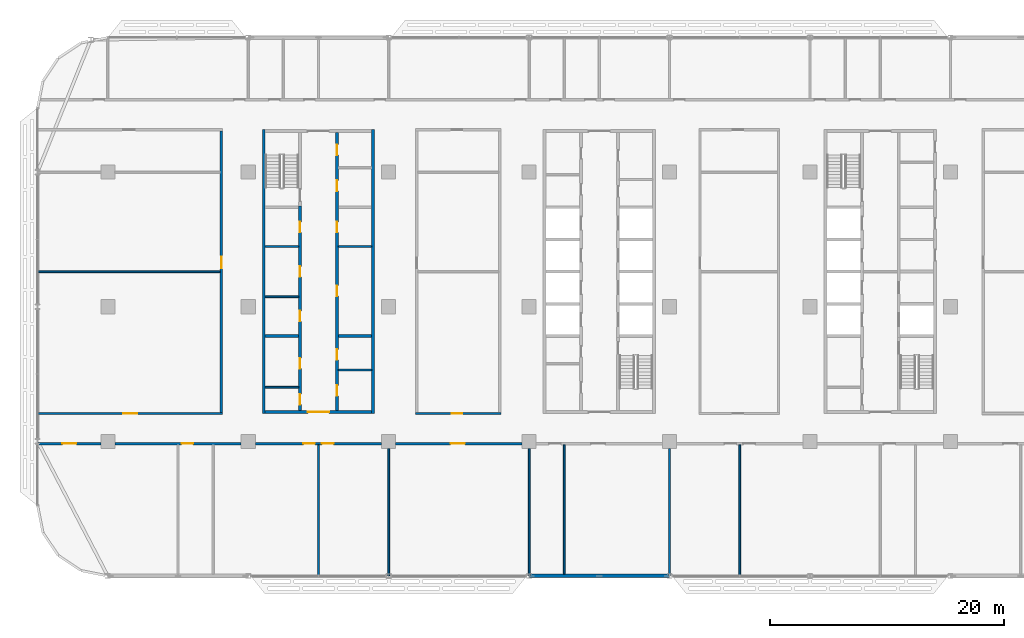
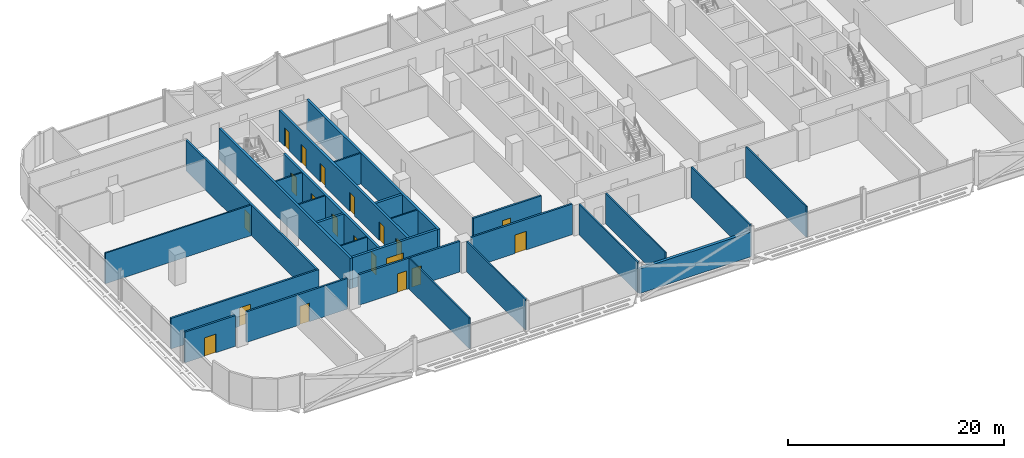
# One storey, part 11 of 27: 27 walls, 20 doors, 20 openings.
"""IFC4 building model written with IfcOpenShell, lengths in metres."""

import ifcopenshell
import ifcopenshell.guid

model = None  # the IFC model being written
_history = None  # IfcOwnerHistory: only IFC2X3 demands one
_inside = {}  # id of a spatial element -> (the spatial element, [elements in it])
_under = {}  # id of a project, library or spatial element -> (it, [spatial elements below it])
_declared = {}  # id of a project -> (the project, [libraries it declares])
_typed = {}  # id of a type object -> (the type object, [elements of that type])
_made_of = {}  # id of a material, layer set ... -> (it, [elements and type objects made of it])


def new_model(schema):
    """Start an empty IFC model of exactly this schema.

    Asked for "IFC4X3", IfcOpenShell would pick the latest addendum, in which some entities
    have other attributes; the version numbers below select the first issue.
    IFC2X3 requires an IfcOwnerHistory on every rooted entity: one is made here for all.
    """
    global model, _history
    if schema == "IFC4X3":
        model = ifcopenshell.file(schema_version=(4, 3, 0, 0))
    else:
        model = ifcopenshell.file(schema=schema)
    _inside.clear()
    _under.clear()
    _declared.clear()
    _typed.clear()
    _made_of.clear()
    _history = None
    if model.schema == "IFC2X3":
        org = make("IfcOrganization", Name="unknown")
        user = make(
            "IfcPersonAndOrganization",
            ThePerson=make("IfcPerson", FamilyName="unknown"),
            TheOrganization=org,
        )
        app = make(
            "IfcApplication",
            ApplicationDeveloper=org,
            Version="unknown",
            ApplicationFullName="unknown",
            ApplicationIdentifier="unknown",
        )
        _history = make(
            "IfcOwnerHistory",
            OwningUser=user,
            OwningApplication=app,
            ChangeAction="ADDED",
            CreationDate=0,
        )
    return model


def make(cls, **values):
    """One entity of the class cls with the attributes given. An attribute that is None is left unset."""
    return model.create_entity(
        cls, **{name: value for name, value in values.items() if value is not None}
    )


def rooted(cls, **values):
    """An entity with a GlobalId (a new one), such as an element, a storey or a relation."""
    return make(cls, GlobalId=ifcopenshell.guid.new(), OwnerHistory=_history, **values)


def si_unit(unit_type, name, prefix=None):
    """IfcSIUnit, for example si_unit("LENGTHUNIT", "METRE", prefix="MILLI")."""
    return make("IfcSIUnit", UnitType=unit_type, Prefix=prefix, Name=name)


def assignment(units):
    """IfcUnitAssignment: the units of a project."""
    return None if units is None else make("IfcUnitAssignment", Units=units)


def point(xyz):
    """IfcCartesianPoint."""
    return None if xyz is None else make("IfcCartesianPoint", Coordinates=xyz)


def direction(xyz):
    """IfcDirection."""
    return None if xyz is None else make("IfcDirection", DirectionRatios=xyz)


def frame(location, z_axis=None, x_axis=None):
    """IfcAxis2Placement3D, a coordinate frame: its origin and axes. An axis left out is left unset."""
    return make(
        "IfcAxis2Placement3D",
        Location=point(location),
        Axis=direction(z_axis),
        RefDirection=direction(x_axis),
    )


def frame_2d(location, x_axis=None):
    """IfcAxis2Placement2D, a coordinate frame in the plane: its origin and x axis."""
    return make(
        "IfcAxis2Placement2D", Location=point(location), RefDirection=direction(x_axis)
    )


def origin():
    """The frame at (0, 0, 0) with its axes left unset."""
    return frame((0.0, 0.0, 0.0))


def place(relative_to, where):
    """IfcLocalPlacement: puts the frame where relative to a parent placement (None: the world)."""
    return make(
        "IfcLocalPlacement", PlacementRelTo=relative_to, RelativePlacement=where
    )


def context(
    kind, dimensions, precision=None, world=None, true_north=None, identifier=None
):
    """IfcGeometricRepresentationContext, for example the 3D "Model" context."""
    return make(
        "IfcGeometricRepresentationContext",
        ContextIdentifier=identifier,
        ContextType=kind,
        CoordinateSpaceDimension=dimensions,
        Precision=precision,
        WorldCoordinateSystem=world,
        TrueNorth=true_north,
    )


def subcontext(parent, identifier, kind, view, scale=None):
    """IfcGeometricRepresentationSubContext, for example "Body" below "Model"."""
    return make(
        "IfcGeometricRepresentationSubContext",
        ContextIdentifier=identifier,
        ContextType=kind,
        ParentContext=parent,
        TargetScale=scale,
        TargetView=view,
    )


def project(units=None, contexts=None):
    """IfcProject with its units and contexts."""
    return rooted(
        "IfcProject",
        Name="project",
        RepresentationContexts=contexts,
        UnitsInContext=assignment(units),
    )


def spatial(cls, under=None, at=None, **own):
    """A site, building, storey or space (cls), placed at a placement, below another one or the project."""
    s = rooted(cls, ObjectPlacement=at, **own)
    if under is not None:
        _under.setdefault(under.id(), (under, []))[1].append(s)
    return s


def profile(cls, at=None, kind="AREA", **sizes):
    """A parametric profile (cls). Its sizes go by their IFC names, for example OverallWidth=200.0."""
    return make(cls, ProfileType=kind, Position=at, **sizes)


def rectangle(**sizes):
    """IfcRectangleProfileDef."""
    return profile("IfcRectangleProfileDef", **sizes)


def extrude(swept, where, along, depth):
    """IfcExtrudedAreaSolid: the profile swept, set in the frame where, extruded along a direction by depth."""
    return make(
        "IfcExtrudedAreaSolid",
        SweptArea=swept,
        Position=where,
        ExtrudedDirection=direction(along),
        Depth=depth,
    )


def shape(context_of_items, identifier, shape_type, items):
    """IfcShapeRepresentation: the items that make up one representation, for example the "Body"."""
    return make(
        "IfcShapeRepresentation",
        ContextOfItems=context_of_items,
        RepresentationIdentifier=identifier,
        RepresentationType=shape_type,
        Items=items,
    )


def material(Name=None, Category=None):
    """IfcMaterial."""
    return make("IfcMaterial", Name=Name, Category=Category)


def layer(
    of_material, thickness, ventilated=None, Name=None, Category=None, Priority=None
):
    """IfcMaterialLayer: one layer of a wall or slab, of a material (None: an air gap)."""
    return make(
        "IfcMaterialLayer",
        Material=of_material,
        LayerThickness=thickness,
        IsVentilated=ventilated,
        Name=Name,
        Category=Category,
        Priority=Priority,
    )


def layer_set(layers, Name=None):
    """IfcMaterialLayerSet."""
    return make("IfcMaterialLayerSet", MaterialLayers=layers, LayerSetName=Name)


def made_of(thing, what):
    """Note that an element or type object is made of a material, layer set ...; save() writes the relation."""
    if what is not None:
        _made_of.setdefault(what.id(), (what, []))[1].append(thing)
    return thing


def type_object(cls, material=None, **own):
    """A type object (cls), such as IfcWallType, which elements share."""
    return made_of(rooted(cls, **own), material)


def element(
    cls,
    number,
    at=None,
    inside=None,
    cuts=None,
    type_object=None,
    material=None,
    context=None,
    identifier="Body",
    shape_type=None,
    held_by="IfcProductDefinitionShape",
    body=None,
    shapes=None,
    **own,
):
    """One element of the class cls, such as IfcWall. Its Tag is "e" and its number.

    at: its placement. inside: the storey or other place that contains it. cuts: it is an
    opening in that element (IfcRelVoidsElement). A single representation is given by context,
    identifier, shape_type and body (its items); several are given by shapes. held_by: the class
    of the entity that holds the representations. save() writes the other relations.
    """
    e = rooted(cls, Tag="e%d" % number, ObjectPlacement=at, **own)
    if body is not None:
        shapes = [shape(context, identifier, shape_type, body)]
    if shapes is not None:
        e.Representation = make(held_by, Representations=shapes)
    if inside is not None:
        _inside.setdefault(inside.id(), (inside, []))[1].append(e)
    if cuts is not None:
        rooted(
            "IfcRelVoidsElement", RelatingBuildingElement=cuts, RelatedOpeningElement=e
        )
    if type_object is not None:
        _typed.setdefault(type_object.id(), (type_object, []))[1].append(e)
    return made_of(e, material)


def fill(opening, filler):
    """IfcRelFillsElement: the door or window that sits in an opening."""
    return rooted(
        "IfcRelFillsElement",
        RelatingOpeningElement=opening,
        RelatedBuildingElement=filler,
    )


def aggregate(whole, parts):
    """IfcRelAggregates: a whole, such as a stair, and the parts it consists of."""
    return rooted("IfcRelAggregates", RelatingObject=whole, RelatedObjects=parts)


def save(model, path):
    """Write the relations noted so far, then the file.

    IfcRelAggregates (storeys below a building ...), IfcRelContainedInSpatialStructure (elements
    in a storey), IfcRelDefinesByType, IfcRelAssociatesMaterial and IfcRelDeclares: one each for
    every whole, place, type object, material and project.
    """
    for whole, parts in _under.values():
        aggregate(whole, parts)
    for where, things in _inside.values():
        rooted(
            "IfcRelContainedInSpatialStructure",
            RelatedElements=things,
            RelatingStructure=where,
        )
    for kind, things in _typed.values():
        rooted("IfcRelDefinesByType", RelatedObjects=things, RelatingType=kind)
    for what, things in _made_of.values():
        rooted("IfcRelAssociatesMaterial", RelatedObjects=things, RelatingMaterial=what)
    for by, libraries in _declared.values():
        rooted("IfcRelDeclares", RelatingContext=by, RelatedDefinitions=libraries)
    model.write(path)


model = new_model("IFC4")

# Units and contexts
model_context = context("Model", 3, precision=1e-05, world=origin(), true_north=direction((0.0, 1.0)))
body_context = subcontext(model_context, "Body", "Model", "MODEL_VIEW")
ifc_project = project(units=[si_unit("LENGTHUNIT", "METRE"), si_unit("AREAUNIT", "SQUARE_METRE"), si_unit("VOLUMEUNIT", "CUBIC_METRE"), si_unit("PLANEANGLEUNIT", "RADIAN"), si_unit("MASSUNIT", "GRAM", prefix="KILO")], contexts=[model_context])

# Site, building, storey
site_placement = place(None, origin())
site = spatial("IfcSite", under=ifc_project, at=site_placement, CompositionType="ELEMENT")
building_placement = place(site_placement, origin())
building = spatial("IfcBuilding", under=site, at=building_placement, Name="Mahtab Terrace Research Tower", CompositionType="ELEMENT")
storey_placement = place(building_placement, frame((0.0, 0.0, 170.60009765625)))
storey = spatial("IfcBuildingStorey", under=building, at=storey_placement, Name="L40", CompositionType="ELEMENT", Elevation=170.60009765625)

# Walls
ifc_material_1 = material(Name="Gypsum board partition")
ifc_layer_1 = layer(ifc_material_1, 0.14990234375)
ifc_layer_set_1 = layer_set([ifc_layer_1], Name="Core partition 150")
wall_type_1 = type_object("IfcWallType", Name="Core partition 150", PredefinedType="PARTITIONING", material=ifc_layer_set_1)
for number, where, z_axis, x_axis, name in (
    (1, (-28.550048828125, 0.85009765625, 0.0), (0.0, 0.0, 1.0), (1.0, 0.0, 0.0), "Core wall A pWL-215"),
    (2, (-28.550048828125, 5.14990234375, 0.0), (0.0, 0.0, 1.0), (1.0, 0.0, 0.0), "Core wall A pWL215"),
    (3, (-22.300048828125, 5.14990234375, 0.0), (0.0, 0.0, 1.0), (1.0, 0.0, 0.0), "Core wall A pEL215"),
    (4, (-28.550048828125, -6.875, 0.0), (0.0, 0.0, 1.0), (1.0, 0.0, 0.0), "Core wall A pWS-988"),
    (5, (-22.300048828125, -5.39501953125, 0.0), (0.0, 0.0, 1.0), (1.0, 0.0, 0.0), "Core wall A pES-840"),
):
    element("IfcWall", number, at=place(storey_placement, frame(where, z_axis=z_axis, x_axis=x_axis)), inside=storey, type_object=wall_type_1, Name=name, PredefinedType="PARTITIONING", context=body_context, shape_type="SweptSolid", body=[
        extrude(rectangle(XDim=2.85009765625, YDim=0.14990234375, at=frame_2d((1.425048828125, 0.0))), origin(), (0.0, 0.0, 1.0), 3.4599609375),
    ])
ifc_material_2 = material(Name="Concrete C70/85", Category="concrete")
ifc_layer_2 = layer(ifc_material_2, 0.25)
ifc_layer_set_2 = layer_set([ifc_layer_2], Name="Core wall 250")
wall_type_2 = type_object("IfcWallType", Name="Core wall 250", PredefinedType="SOLIDWALL", material=ifc_layer_set_2)
for number, where, z_axis, x_axis, name in (
    (6, (-28.675048828125, 15.125, 0.0), (0.0, 0.0, 1.0), (0.0, -1.0, 0.0), "Core wall A outerW"),
    (7, (-19.324951171875, -9.125, 0.0), (0.0, 0.0, 1.0), (0.0, 1.0, 0.0), "Core wall A outerE"),
):
    element("IfcWall", number, at=place(storey_placement, frame(where, z_axis=z_axis, x_axis=x_axis)), inside=storey, type_object=wall_type_2, Name=name, PredefinedType="SOLIDWALL", context=body_context, shape_type="SweptSolid", body=[
        extrude(rectangle(XDim=24.25, YDim=0.25, at=frame_2d((12.125, 0.0))), origin(), (0.0, 0.0, 1.0), 3.4599609375),
    ])

# Wall, opening, door
wall_1_placement = place(storey_placement, frame((-19.449951171875, -9.0, 0.0), z_axis=(0.0, 0.0, 1.0), x_axis=(-1.0, 0.0, 0.0)))
wall_1 = element("IfcWall", 8, at=wall_1_placement, inside=storey, type_object=wall_type_2, Name="Core wall A endS", PredefinedType="SOLIDWALL", context=body_context, shape_type="SweptSolid", body=[
    extrude(rectangle(XDim=9.10009765625, YDim=0.25, at=frame_2d((4.550048828125, 0.0))), origin(), (0.0, 0.0, 1.0), 3.4599609375),
])
opening_1_placement = place(wall_1_placement, frame((3.64990234375, 0.0, 0.0)))
opening_1 = element("IfcOpeningElement", 9, at=opening_1_placement, cuts=wall_1, Name="Opening A-S1", PredefinedType="OPENING", context=body_context, shape_type="SweptSolid", body=[
    extrude(rectangle(XDim=1.800048828125, YDim=2.10009765625, at=frame_2d((0.89990234375, 1.050048828125))), frame((0.0, 0.135009765625, 0.0), z_axis=(0.0, -1.0, 0.0), x_axis=(1.0, 0.0, 0.0)), (0.0, 0.0, 1.0), 0.27001953125),
])
ifc_material_3 = material(Name="Steel fire door", Category="steel")
door_type_1 = type_object("IfcDoorType", Name="Lobby double door 1800x2100 1 HR", OperationType="DOUBLE_DOOR_SINGLE_SWING", PredefinedType="DOOR", material=ifc_material_3)
door_1_placement = place(opening_1_placement, origin())
door_1 = element("IfcDoor", 10, at=door_1_placement, inside=storey, type_object=door_type_1, Name="Core entrance door A S", OperationType="DOUBLE_DOOR_SINGLE_SWING", OverallHeight=2.10009765625, OverallWidth=1.800048828125, PredefinedType="DOOR", context=body_context, shape_type="SweptSolid", body=[
    extrude(rectangle(XDim=1.800048828125, YDim=2.10009765625, at=frame_2d((0.89990234375, 1.050048828125))), frame((0.0, 0.02490234375, 0.0), z_axis=(0.0, -1.0, 0.0), x_axis=(1.0, 0.0, 0.0)), (0.0, 0.0, 1.0), 0.050048828125),
])
fill(opening_1, door_1)

# Wall, openings, doors
wall_2_placement = place(storey_placement, frame((-25.574951171875, -8.875, 0.0), z_axis=(0.0, 0.0, 1.0), x_axis=(0.0, 1.0, 0.0)))
wall_2 = element("IfcWall", 11, at=wall_2_placement, inside=storey, type_object=wall_type_2, Name="Core wall A innerWSL", PredefinedType="SOLIDWALL", context=body_context, shape_type="SweptSolid", body=[
    extrude(rectangle(XDim=17.5, YDim=0.25, at=frame_2d((8.75, 0.0))), origin(), (0.0, 0.0, 1.0), 3.4599609375),
])
opening_2_placement = place(wall_2_placement, frame((7.625, 0.0, 0.0)))
opening_2 = element("IfcOpeningElement", 12, at=opening_2_placement, cuts=wall_2, Name="Opening A-R1", PredefinedType="OPENING", context=body_context, shape_type="SweptSolid", body=[
    extrude(rectangle(XDim=0.89990234375, YDim=2.10009765625, at=frame_2d((0.449951171875, 1.050048828125))), frame((0.0, 0.135009765625, 0.0), z_axis=(0.0, -1.0, 0.0), x_axis=(1.0, 0.0, 0.0)), (0.0, 0.0, 1.0), 0.27001953125),
])
opening_3_placement = place(wall_2_placement, frame((11.425048828125, 0.0, 0.0)))
opening_3 = element("IfcOpeningElement", 13, at=opening_3_placement, cuts=wall_2, Name="Opening A-R2", PredefinedType="OPENING", context=body_context, shape_type="SweptSolid", body=[
    extrude(rectangle(XDim=0.89990234375, YDim=2.10009765625, at=frame_2d((0.449951171875, 1.050048828125))), frame((0.0, 0.135009765625, 0.0), z_axis=(0.0, -1.0, 0.0), x_axis=(1.0, 0.0, 0.0)), (0.0, 0.0, 1.0), 0.27001953125),
])
opening_4_placement = place(wall_2_placement, frame((15.22509765625, 0.0, 0.0)))
opening_4 = element("IfcOpeningElement", 14, at=opening_4_placement, cuts=wall_2, Name="Opening A-R3", PredefinedType="OPENING", context=body_context, shape_type="SweptSolid", body=[
    extrude(rectangle(XDim=0.89990234375, YDim=2.10009765625, at=frame_2d((0.449951171875, 1.050048828125))), frame((0.0, 0.135009765625, 0.0), z_axis=(0.0, -1.0, 0.0), x_axis=(1.0, 0.0, 0.0)), (0.0, 0.0, 1.0), 0.27001953125),
])
opening_5_placement = place(wall_2_placement, frame((0.512451171875, 0.0, 0.0)))
opening_5 = element("IfcOpeningElement", 15, at=opening_5_placement, cuts=wall_2, Name="Opening A-R6", PredefinedType="OPENING", context=body_context, shape_type="SweptSolid", body=[
    extrude(rectangle(XDim=0.89990234375, YDim=2.10009765625, at=frame_2d((0.449951171875, 1.050048828125))), frame((0.0, 0.135009765625, 0.0), z_axis=(0.0, -1.0, 0.0), x_axis=(1.0, 0.0, 0.0)), (0.0, 0.0, 1.0), 0.27001953125),
])
opening_6_placement = place(wall_2_placement, frame((3.58740234375, 0.0, 0.0)))
opening_6 = element("IfcOpeningElement", 16, at=opening_6_placement, cuts=wall_2, Name="Opening A-R7", PredefinedType="OPENING", context=body_context, shape_type="SweptSolid", body=[
    extrude(rectangle(XDim=0.89990234375, YDim=2.10009765625, at=frame_2d((0.449951171875, 1.050048828125))), frame((0.0, 0.135009765625, 0.0), z_axis=(0.0, -1.0, 0.0), x_axis=(1.0, 0.0, 0.0)), (0.0, 0.0, 1.0), 0.27001953125),
])
door_type_2 = type_object("IfcDoorType", Name="Room door 900x2100 1 HR", OperationType="NOTDEFINED", PredefinedType="DOOR", material=ifc_material_3)
door_2_placement = place(opening_2_placement, origin())
door_2 = element("IfcDoor", 17, at=door_2_placement, inside=storey, type_object=door_type_2, Name="Electrical room door", OperationType="SINGLE_SWING_LEFT", OverallHeight=2.10009765625, OverallWidth=0.89990234375, PredefinedType="DOOR", context=body_context, shape_type="SweptSolid", body=[
    extrude(rectangle(XDim=0.89990234375, YDim=2.10009765625, at=frame_2d((0.449951171875, 1.050048828125))), frame((0.0, 0.02490234375, 0.0), z_axis=(0.0, -1.0, 0.0), x_axis=(1.0, 0.0, 0.0)), (0.0, 0.0, 1.0), 0.050048828125),
])
fill(opening_2, door_2)
door_3_placement = place(opening_3_placement, origin())
door_3 = element("IfcDoor", 18, at=door_3_placement, inside=storey, type_object=door_type_2, Name="Pantry door", OperationType="SINGLE_SWING_RIGHT", OverallHeight=2.10009765625, OverallWidth=0.89990234375, PredefinedType="DOOR", context=body_context, shape_type="SweptSolid", body=[
    extrude(rectangle(XDim=0.89990234375, YDim=2.10009765625, at=frame_2d((0.449951171875, 1.050048828125))), frame((0.0, 0.02490234375, 0.0), z_axis=(0.0, -1.0, 0.0), x_axis=(1.0, 0.0, 0.0)), (0.0, 0.0, 1.0), 0.050048828125),
])
fill(opening_3, door_3)
door_4_placement = place(opening_4_placement, origin())
door_4 = element("IfcDoor", 19, at=door_4_placement, inside=storey, type_object=door_type_2, Name="Housekeeping store door", OperationType="SINGLE_SWING_LEFT", OverallHeight=2.10009765625, OverallWidth=0.89990234375, PredefinedType="DOOR", context=body_context, shape_type="SweptSolid", body=[
    extrude(rectangle(XDim=0.89990234375, YDim=2.10009765625, at=frame_2d((0.449951171875, 1.050048828125))), frame((0.0, 0.02490234375, 0.0), z_axis=(0.0, -1.0, 0.0), x_axis=(1.0, 0.0, 0.0)), (0.0, 0.0, 1.0), 0.050048828125),
])
fill(opening_4, door_4)
door_5_placement = place(opening_5_placement, origin())
door_5 = element("IfcDoor", 20, at=door_5_placement, inside=storey, type_object=door_type_2, Name="Accessible WC door", OperationType="SINGLE_SWING_RIGHT", OverallHeight=2.10009765625, OverallWidth=0.89990234375, PredefinedType="DOOR", context=body_context, shape_type="SweptSolid", body=[
    extrude(rectangle(XDim=0.89990234375, YDim=2.10009765625, at=frame_2d((0.449951171875, 1.050048828125))), frame((0.0, 0.02490234375, 0.0), z_axis=(0.0, -1.0, 0.0), x_axis=(1.0, 0.0, 0.0)), (0.0, 0.0, 1.0), 0.050048828125),
])
fill(opening_5, door_5)
door_6_placement = place(opening_6_placement, origin())
door_6 = element("IfcDoor", 21, at=door_6_placement, inside=storey, type_object=door_type_2, Name="WC block door", OperationType="SINGLE_SWING_LEFT", OverallHeight=2.10009765625, OverallWidth=0.89990234375, PredefinedType="DOOR", context=body_context, shape_type="SweptSolid", body=[
    extrude(rectangle(XDim=0.89990234375, YDim=2.10009765625, at=frame_2d((0.449951171875, 1.050048828125))), frame((0.0, 0.02490234375, 0.0), z_axis=(0.0, -1.0, 0.0), x_axis=(1.0, 0.0, 0.0)), (0.0, 0.0, 1.0), 0.050048828125),
])
fill(opening_6, door_6)

wall_3_placement = place(storey_placement, frame((-22.425048828125, 14.875, 0.0), z_axis=(0.0, 0.0, 1.0), x_axis=(0.0, -1.0, 0.0)))
wall_3 = element("IfcWall", 22, at=wall_3_placement, inside=storey, type_object=wall_type_2, Name="Core wall A innerESLN", PredefinedType="SOLIDWALL", context=body_context, shape_type="SweptSolid", body=[
    extrude(rectangle(XDim=23.75, YDim=0.25, at=frame_2d((11.875, 0.0))), origin(), (0.0, 0.0, 1.0), 3.4599609375),
])
opening_7_placement = place(wall_3_placement, frame((13.074951171875, 0.0, 0.0)))
opening_7 = element("IfcOpeningElement", 23, at=opening_7_placement, cuts=wall_3, Name="Opening A-R4", PredefinedType="OPENING", context=body_context, shape_type="SweptSolid", body=[
    extrude(rectangle(XDim=0.89990234375, YDim=2.10009765625, at=frame_2d((0.449951171875, 1.050048828125))), frame((0.0, 0.135009765625, 0.0), z_axis=(0.0, -1.0, 0.0), x_axis=(1.0, 0.0, 0.0)), (0.0, 0.0, 1.0), 0.27001953125),
])
opening_8_placement = place(wall_3_placement, frame((7.625, 0.0, 0.0)))
opening_8 = element("IfcOpeningElement", 24, at=opening_8_placement, cuts=wall_3, Name="Opening A-R5", PredefinedType="OPENING", context=body_context, shape_type="SweptSolid", body=[
    extrude(rectangle(XDim=0.89990234375, YDim=2.10009765625, at=frame_2d((0.449951171875, 1.050048828125))), frame((0.0, 0.135009765625, 0.0), z_axis=(0.0, -1.0, 0.0), x_axis=(1.0, 0.0, 0.0)), (0.0, 0.0, 1.0), 0.27001953125),
])
opening_9_placement = place(wall_3_placement, frame((21.597412109375, 0.0, 0.0)))
opening_9 = element("IfcOpeningElement", 25, at=opening_9_placement, cuts=wall_3, Name="Opening A-R8", PredefinedType="OPENING", context=body_context, shape_type="SweptSolid", body=[
    extrude(rectangle(XDim=0.89990234375, YDim=2.10009765625, at=frame_2d((0.449951171875, 1.050048828125))), frame((0.0, 0.135009765625, 0.0), z_axis=(0.0, -1.0, 0.0), x_axis=(1.0, 0.0, 0.0)), (0.0, 0.0, 1.0), 0.27001953125),
])
opening_10_placement = place(wall_3_placement, frame((18.5224609375, 0.0, 0.0)))
opening_10 = element("IfcOpeningElement", 26, at=opening_10_placement, cuts=wall_3, Name="Opening A-R9", PredefinedType="OPENING", context=body_context, shape_type="SweptSolid", body=[
    extrude(rectangle(XDim=0.89990234375, YDim=2.10009765625, at=frame_2d((0.449951171875, 1.050048828125))), frame((0.0, 0.135009765625, 0.0), z_axis=(0.0, -1.0, 0.0), x_axis=(1.0, 0.0, 0.0)), (0.0, 0.0, 1.0), 0.27001953125),
])
opening_11_placement = place(wall_3_placement, frame((4.08740234375, 0.0, 0.0)))
opening_11 = element("IfcOpeningElement", 27, at=opening_11_placement, cuts=wall_3, Name="Opening A-R10", PredefinedType="OPENING", context=body_context, shape_type="SweptSolid", body=[
    extrude(rectangle(XDim=0.89990234375, YDim=2.10009765625, at=frame_2d((0.449951171875, 1.050048828125))), frame((0.0, 0.135009765625, 0.0), z_axis=(0.0, -1.0, 0.0), x_axis=(1.0, 0.0, 0.0)), (0.0, 0.0, 1.0), 0.27001953125),
])
opening_12_placement = place(wall_3_placement, frame((1.012451171875, 0.0, 0.0)))
opening_12 = element("IfcOpeningElement", 28, at=opening_12_placement, cuts=wall_3, Name="Opening A-R11", PredefinedType="OPENING", context=body_context, shape_type="SweptSolid", body=[
    extrude(rectangle(XDim=0.89990234375, YDim=2.10009765625, at=frame_2d((0.449951171875, 1.050048828125))), frame((0.0, 0.135009765625, 0.0), z_axis=(0.0, -1.0, 0.0), x_axis=(1.0, 0.0, 0.0)), (0.0, 0.0, 1.0), 0.27001953125),
])
door_7_placement = place(opening_7_placement, origin())
door_7 = element("IfcDoor", 29, at=door_7_placement, inside=storey, type_object=door_type_2, Name="Chemical store door", OperationType="SINGLE_SWING_RIGHT", OverallHeight=2.10009765625, OverallWidth=0.89990234375, PredefinedType="DOOR", context=body_context, shape_type="SweptSolid", body=[
    extrude(rectangle(XDim=0.89990234375, YDim=2.10009765625, at=frame_2d((0.449951171875, 1.050048828125))), frame((0.0, 0.02490234375, 0.0), z_axis=(0.0, -1.0, 0.0), x_axis=(1.0, 0.0, 0.0)), (0.0, 0.0, 1.0), 0.050048828125),
])
fill(opening_7, door_7)
door_8_placement = place(opening_8_placement, origin())
door_8 = element("IfcDoor", 30, at=door_8_placement, inside=storey, type_object=door_type_2, Name="Waste room door", OperationType="SINGLE_SWING_LEFT", OverallHeight=2.10009765625, OverallWidth=0.89990234375, PredefinedType="DOOR", context=body_context, shape_type="SweptSolid", body=[
    extrude(rectangle(XDim=0.89990234375, YDim=2.10009765625, at=frame_2d((0.449951171875, 1.050048828125))), frame((0.0, 0.02490234375, 0.0), z_axis=(0.0, -1.0, 0.0), x_axis=(1.0, 0.0, 0.0)), (0.0, 0.0, 1.0), 0.050048828125),
])
fill(opening_8, door_8)
door_9_placement = place(opening_9_placement, origin())
door_9 = element("IfcDoor", 31, at=door_9_placement, inside=storey, type_object=door_type_2, Name="Pantry door", OperationType="SINGLE_SWING_RIGHT", OverallHeight=2.10009765625, OverallWidth=0.89990234375, PredefinedType="DOOR", context=body_context, shape_type="SweptSolid", body=[
    extrude(rectangle(XDim=0.89990234375, YDim=2.10009765625, at=frame_2d((0.449951171875, 1.050048828125))), frame((0.0, 0.02490234375, 0.0), z_axis=(0.0, -1.0, 0.0), x_axis=(1.0, 0.0, 0.0)), (0.0, 0.0, 1.0), 0.050048828125),
])
fill(opening_9, door_9)
door_10_placement = place(opening_10_placement, origin())
door_10 = element("IfcDoor", 32, at=door_10_placement, inside=storey, type_object=door_type_2, Name="Linen store door", OperationType="SINGLE_SWING_LEFT", OverallHeight=2.10009765625, OverallWidth=0.89990234375, PredefinedType="DOOR", context=body_context, shape_type="SweptSolid", body=[
    extrude(rectangle(XDim=0.89990234375, YDim=2.10009765625, at=frame_2d((0.449951171875, 1.050048828125))), frame((0.0, 0.02490234375, 0.0), z_axis=(0.0, -1.0, 0.0), x_axis=(1.0, 0.0, 0.0)), (0.0, 0.0, 1.0), 0.050048828125),
])
fill(opening_10, door_10)
door_11_placement = place(opening_11_placement, origin())
door_11 = element("IfcDoor", 33, at=door_11_placement, inside=storey, type_object=door_type_2, Name="Housekeeping store door", OperationType="SINGLE_SWING_RIGHT", OverallHeight=2.10009765625, OverallWidth=0.89990234375, PredefinedType="DOOR", context=body_context, shape_type="SweptSolid", body=[
    extrude(rectangle(XDim=0.89990234375, YDim=2.10009765625, at=frame_2d((0.449951171875, 1.050048828125))), frame((0.0, 0.02490234375, 0.0), z_axis=(0.0, -1.0, 0.0), x_axis=(1.0, 0.0, 0.0)), (0.0, 0.0, 1.0), 0.050048828125),
])
fill(opening_11, door_11)
door_12_placement = place(opening_12_placement, origin())
door_12 = element("IfcDoor", 34, at=door_12_placement, inside=storey, type_object=door_type_2, Name="Electrical riser room door", OperationType="SINGLE_SWING_LEFT", OverallHeight=2.10009765625, OverallWidth=0.89990234375, PredefinedType="DOOR", context=body_context, shape_type="SweptSolid", body=[
    extrude(rectangle(XDim=0.89990234375, YDim=2.10009765625, at=frame_2d((0.449951171875, 1.050048828125))), frame((0.0, 0.02490234375, 0.0), z_axis=(0.0, -1.0, 0.0), x_axis=(1.0, 0.0, 0.0)), (0.0, 0.0, 1.0), 0.050048828125),
])
fill(opening_12, door_12)

# Walls
for number, where, z_axis, x_axis, name in (
    (35, (-28.550048828125, -2.5, 0.0), (0.0, 0.0, 1.0), (1.0, 0.0, 0.0), "Core wall A divW0"),
    (36, (-22.300048828125, -2.5, 0.0), (0.0, 0.0, 1.0), (1.0, 0.0, 0.0), "Core wall A divE0"),
):
    element("IfcWall", number, at=place(storey_placement, frame(where, z_axis=z_axis, x_axis=x_axis)), inside=storey, type_object=wall_type_2, Name=name, PredefinedType="SOLIDWALL", context=body_context, shape_type="SweptSolid", body=[
        extrude(rectangle(XDim=2.85009765625, YDim=0.25, at=frame_2d((1.425048828125, 0.0))), origin(), (0.0, 0.0, 1.0), 3.4599609375),
    ])
ifc_material_4 = material(Name="Black aluminium cladding panel", Category="aluminium")
ifc_layer_3 = layer(ifc_material_4, 0.300048828125)
ifc_layer_set_3 = layer_set([ifc_layer_3], Name="Opaque facade wall 300")
wall_type_3 = type_object("IfcWallType", Name="Opaque facade wall 300", PredefinedType="NOTDEFINED", material=ifc_layer_set_3)
wall_4_placement = place(storey_placement, frame((-5.985107421875, -23.0, 0.0), z_axis=(0.0, 0.0, 1.0), x_axis=(1.0, 0.0, 0.0)))
element("IfcWall", 37, at=wall_4_placement, inside=storey, type_object=wall_type_3, Name="Opaque facade wall L40 S26", PredefinedType="NOTDEFINED", context=body_context, shape_type="SweptSolid", body=[
    extrude(rectangle(XDim=11.97021484375, YDim=0.300048828125, at=frame_2d((5.985107421875, 0.0))), origin(), (0.0, 0.0, 1.0), 2.78173828125),
])

# Wall, opening, door
ifc_material_5 = material(Name="Gypsum board corridor wall on steel studs", Category="steel")
ifc_layer_4 = layer(ifc_material_5, 0.199951171875)
ifc_layer_set_4 = layer_set([ifc_layer_4], Name="WALL CORRIDOR 200")
wall_type_4 = type_object("IfcWallType", Name="WALL CORRIDOR 200", PredefinedType="PARTITIONING", material=ifc_layer_set_4)
wall_5_placement = place(storey_placement, frame((-47.97509765625, -11.699951171875, 0.0), z_axis=(0.0, 0.0, 1.0), x_axis=(1.0, 0.0, 0.0)))
wall_5 = element("IfcWall", 38, at=wall_5_placement, inside=storey, type_object=wall_type_4, Name="L40-W001", PredefinedType="PARTITIONING", context=body_context, shape_type="SweptSolid", body=[
    extrude(rectangle(XDim=5.375, YDim=0.199951171875, at=frame_2d((2.6875, 0.0))), origin(), (0.0, 0.0, 1.0), 3.4599609375),
])
opening_13_placement = place(wall_5_placement, frame((2.10009765625, 0.0, 0.0)))
opening_13 = element("IfcOpeningElement", 39, at=opening_13_placement, cuts=wall_5, Name="Opening L40-101", PredefinedType="OPENING", context=body_context, shape_type="SweptSolid", body=[
    extrude(rectangle(XDim=1.199951171875, YDim=2.10009765625, at=frame_2d((0.60009765625, 1.050048828125))), frame((0.0, 0.10986328125, 0.0), z_axis=(0.0, -1.0, 0.0), x_axis=(1.0, 0.0, 0.0)), (0.0, 0.0, 1.0), 0.219970703125),
])
ifc_material_6 = material(Name="Timber door leaf in steel frame", Category="steel")
door_type_3 = type_object("IfcDoorType", Name="DOOR 1200X2100 FD30S", OperationType="SINGLE_SWING_LEFT", PredefinedType="DOOR", material=ifc_material_6)
door_13_placement = place(opening_13_placement, origin())
door_13 = element("IfcDoor", 40, at=door_13_placement, inside=storey, type_object=door_type_3, Name="Door L40-101", OperationType="SINGLE_SWING_LEFT", OverallHeight=2.10009765625, OverallWidth=1.199951171875, PredefinedType="DOOR", context=body_context, shape_type="SweptSolid", body=[
    extrude(rectangle(XDim=1.199951171875, YDim=2.10009765625, at=frame_2d((0.60009765625, 1.050048828125))), frame((0.0, 0.02490234375, 0.0), z_axis=(0.0, -1.0, 0.0), x_axis=(1.0, 0.0, 0.0)), (0.0, 0.0, 1.0), 0.050048828125),
])
fill(opening_13, door_13)

wall_6_placement = place(storey_placement, frame((-41.39990234375, -11.699951171875, 0.0), z_axis=(0.0, 0.0, 1.0), x_axis=(1.0, 0.0, 0.0)))
wall_6 = element("IfcWall", 41, at=wall_6_placement, inside=storey, type_object=wall_type_4, Name="L40-W002", PredefinedType="PARTITIONING", context=body_context, shape_type="SweptSolid", body=[
    extrude(rectangle(XDim=10.7998046875, YDim=0.199951171875, at=frame_2d((5.39990234375, 0.0))), origin(), (0.0, 0.0, 1.0), 3.4599609375),
])
opening_14_placement = place(wall_6_placement, frame((5.699951171875, 0.0, 0.0)))
opening_14 = element("IfcOpeningElement", 42, at=opening_14_placement, cuts=wall_6, Name="Opening L40-102", PredefinedType="OPENING", context=body_context, shape_type="SweptSolid", body=[
    extrude(rectangle(XDim=1.0, YDim=2.10009765625, at=frame_2d((0.5, 1.050048828125))), frame((0.0, 0.10986328125, 0.0), z_axis=(0.0, -1.0, 0.0), x_axis=(1.0, 0.0, 0.0)), (0.0, 0.0, 1.0), 0.219970703125),
])
door_type_4 = type_object("IfcDoorType", Name="DOOR 1000X2100 FD30S", OperationType="SINGLE_SWING_LEFT", PredefinedType="DOOR", material=ifc_material_6)
door_14_placement = place(opening_14_placement, origin())
door_14 = element("IfcDoor", 43, at=door_14_placement, inside=storey, type_object=door_type_4, Name="Door L40-102", OperationType="SINGLE_SWING_LEFT", OverallHeight=2.10009765625, OverallWidth=1.0, PredefinedType="DOOR", context=body_context, shape_type="SweptSolid", body=[
    extrude(rectangle(XDim=1.0, YDim=2.10009765625, at=frame_2d((0.5, 1.050048828125))), frame((0.0, 0.02490234375, 0.0), z_axis=(0.0, -1.0, 0.0), x_axis=(1.0, 0.0, 0.0)), (0.0, 0.0, 1.0), 0.050048828125),
])
fill(opening_14, door_14)

# Wall, openings, doors
wall_7_placement = place(storey_placement, frame((-29.39990234375, -11.699951171875, 0.0), z_axis=(0.0, 0.0, 1.0), x_axis=(1.0, 0.0, 0.0)))
wall_7 = element("IfcWall", 44, at=wall_7_placement, inside=storey, type_object=wall_type_4, Name="L40-W003", PredefinedType="PARTITIONING", context=body_context, shape_type="SweptSolid", body=[
    extrude(rectangle(XDim=10.7998046875, YDim=0.199951171875, at=frame_2d((5.39990234375, 0.0))), origin(), (0.0, 0.0, 1.0), 3.4599609375),
])
opening_15_placement = place(wall_7_placement, frame((4.10009765625, 0.0, 0.0)))
opening_15 = element("IfcOpeningElement", 45, at=opening_15_placement, cuts=wall_7, Name="Opening L40-103", PredefinedType="OPENING", context=body_context, shape_type="SweptSolid", body=[
    extrude(rectangle(XDim=1.0, YDim=2.10009765625, at=frame_2d((0.5, 1.050048828125))), frame((0.0, 0.10986328125, 0.0), z_axis=(0.0, -1.0, 0.0), x_axis=(1.0, 0.0, 0.0)), (0.0, 0.0, 1.0), 0.219970703125),
])
opening_16_placement = place(wall_7_placement, frame((5.699951171875, 0.0, 0.0)))
opening_16 = element("IfcOpeningElement", 46, at=opening_16_placement, cuts=wall_7, Name="Opening L40-104", PredefinedType="OPENING", context=body_context, shape_type="SweptSolid", body=[
    extrude(rectangle(XDim=1.0, YDim=2.10009765625, at=frame_2d((0.5, 1.050048828125))), frame((0.0, 0.10986328125, 0.0), z_axis=(0.0, -1.0, 0.0), x_axis=(1.0, 0.0, 0.0)), (0.0, 0.0, 1.0), 0.219970703125),
])
door_15_placement = place(opening_15_placement, origin())
door_15 = element("IfcDoor", 47, at=door_15_placement, inside=storey, type_object=door_type_4, Name="Door L40-103", OperationType="SINGLE_SWING_RIGHT", OverallHeight=2.10009765625, OverallWidth=1.0, PredefinedType="DOOR", context=body_context, shape_type="SweptSolid", body=[
    extrude(rectangle(XDim=1.0, YDim=2.10009765625, at=frame_2d((0.5, 1.050048828125))), frame((0.0, 0.02490234375, 0.0), z_axis=(0.0, -1.0, 0.0), x_axis=(1.0, 0.0, 0.0)), (0.0, 0.0, 1.0), 0.050048828125),
])
fill(opening_15, door_15)
door_16_placement = place(opening_16_placement, origin())
door_16 = element("IfcDoor", 48, at=door_16_placement, inside=storey, type_object=door_type_4, Name="Door L40-104", OperationType="SINGLE_SWING_LEFT", OverallHeight=2.10009765625, OverallWidth=1.0, PredefinedType="DOOR", context=body_context, shape_type="SweptSolid", body=[
    extrude(rectangle(XDim=1.0, YDim=2.10009765625, at=frame_2d((0.5, 1.050048828125))), frame((0.0, 0.02490234375, 0.0), z_axis=(0.0, -1.0, 0.0), x_axis=(1.0, 0.0, 0.0)), (0.0, 0.0, 1.0), 0.050048828125),
])
fill(opening_16, door_16)

# Wall, opening, door
wall_8_placement = place(storey_placement, frame((-17.39990234375, -11.699951171875, 0.0), z_axis=(0.0, 0.0, 1.0), x_axis=(1.0, 0.0, 0.0)))
wall_8 = element("IfcWall", 49, at=wall_8_placement, inside=storey, type_object=wall_type_4, Name="L40-W004", PredefinedType="PARTITIONING", context=body_context, shape_type="SweptSolid", body=[
    extrude(rectangle(XDim=10.7998046875, YDim=0.199951171875, at=frame_2d((5.39990234375, 0.0))), origin(), (0.0, 0.0, 1.0), 3.4599609375),
])
opening_17_placement = place(wall_8_placement, frame((4.699951171875, 0.0, 0.0)))
opening_17 = element("IfcOpeningElement", 50, at=opening_17_placement, cuts=wall_8, Name="Opening L40-105", PredefinedType="OPENING", context=body_context, shape_type="SweptSolid", body=[
    extrude(rectangle(XDim=1.199951171875, YDim=2.10009765625, at=frame_2d((0.60009765625, 1.050048828125))), frame((0.0, 0.10986328125, 0.0), z_axis=(0.0, -1.0, 0.0), x_axis=(1.0, 0.0, 0.0)), (0.0, 0.0, 1.0), 0.219970703125),
])
door_17_placement = place(opening_17_placement, origin())
door_17 = element("IfcDoor", 51, at=door_17_placement, inside=storey, type_object=door_type_3, Name="Door L40-105", OperationType="SINGLE_SWING_RIGHT", OverallHeight=2.10009765625, OverallWidth=1.199951171875, PredefinedType="DOOR", context=body_context, shape_type="SweptSolid", body=[
    extrude(rectangle(XDim=1.199951171875, YDim=2.10009765625, at=frame_2d((0.60009765625, 1.050048828125))), frame((0.0, 0.02490234375, 0.0), z_axis=(0.0, -1.0, 0.0), x_axis=(1.0, 0.0, 0.0)), (0.0, 0.0, 1.0), 0.050048828125),
])
fill(opening_17, door_17)

wall_9_placement = place(storey_placement, frame((-47.97509765625, -9.125, 0.0), z_axis=(0.0, 0.0, 1.0), x_axis=(1.0, 0.0, 0.0)))
wall_9 = element("IfcWall", 52, at=wall_9_placement, inside=storey, type_object=wall_type_4, Name="L40-W010", PredefinedType="PARTITIONING", context=body_context, shape_type="SweptSolid", body=[
    extrude(rectangle(XDim=15.775146484375, YDim=0.199951171875, at=frame_2d((7.8876953125, 0.0))), origin(), (0.0, 0.0, 1.0), 3.4599609375),
])
opening_18_placement = place(wall_9_placement, frame((7.300048828125, 0.0, 0.0)))
opening_18 = element("IfcOpeningElement", 53, at=opening_18_placement, cuts=wall_9, Name="Opening L40-114", PredefinedType="OPENING", context=body_context, shape_type="SweptSolid", body=[
    extrude(rectangle(XDim=1.199951171875, YDim=2.10009765625, at=frame_2d((0.60009765625, 1.050048828125))), frame((0.0, 0.10986328125, 0.0), z_axis=(0.0, -1.0, 0.0), x_axis=(1.0, 0.0, 0.0)), (0.0, 0.0, 1.0), 0.219970703125),
])
door_18_placement = place(opening_18_placement, origin())
door_18 = element("IfcDoor", 54, at=door_18_placement, inside=storey, type_object=door_type_3, Name="Door L40-114", OperationType="SINGLE_SWING_RIGHT", OverallHeight=2.10009765625, OverallWidth=1.199951171875, PredefinedType="DOOR", context=body_context, shape_type="SweptSolid", body=[
    extrude(rectangle(XDim=1.199951171875, YDim=2.10009765625, at=frame_2d((0.60009765625, 1.050048828125))), frame((0.0, 0.02490234375, 0.0), z_axis=(0.0, -1.0, 0.0), x_axis=(1.0, 0.0, 0.0)), (0.0, 0.0, 1.0), 0.050048828125),
])
fill(opening_18, door_18)

wall_10_placement = place(storey_placement, frame((-15.699951171875, -9.125, 0.0), z_axis=(0.0, 0.0, 1.0), x_axis=(1.0, 0.0, 0.0)))
wall_10 = element("IfcWall", 55, at=wall_10_placement, inside=storey, type_object=wall_type_4, Name="L40-W011", PredefinedType="PARTITIONING", context=body_context, shape_type="SweptSolid", body=[
    extrude(rectangle(XDim=7.300048828125, YDim=0.199951171875, at=frame_2d((3.64990234375, 0.0))), origin(), (0.0, 0.0, 1.0), 3.4599609375),
])
opening_19_placement = place(wall_10_placement, frame((3.10009765625, 0.0, 0.0)))
opening_19 = element("IfcOpeningElement", 56, at=opening_19_placement, cuts=wall_10, Name="Opening L40-115", PredefinedType="OPENING", context=body_context, shape_type="SweptSolid", body=[
    extrude(rectangle(XDim=0.89990234375, YDim=2.10009765625, at=frame_2d((0.449951171875, 1.050048828125))), frame((0.0, 0.10986328125, 0.0), z_axis=(0.0, -1.0, 0.0), x_axis=(1.0, 0.0, 0.0)), (0.0, 0.0, 1.0), 0.219970703125),
])
door_type_5 = type_object("IfcDoorType", Name="DOOR 0900X2100 FD30S", OperationType="SINGLE_SWING_LEFT", PredefinedType="DOOR", material=ifc_material_6)
door_19_placement = place(opening_19_placement, origin())
door_19 = element("IfcDoor", 57, at=door_19_placement, inside=storey, type_object=door_type_5, Name="Door L40-115", OperationType="SINGLE_SWING_LEFT", OverallHeight=2.10009765625, OverallWidth=0.89990234375, PredefinedType="DOOR", context=body_context, shape_type="SweptSolid", body=[
    extrude(rectangle(XDim=0.89990234375, YDim=2.10009765625, at=frame_2d((0.449951171875, 1.050048828125))), frame((0.0, 0.02490234375, 0.0), z_axis=(0.0, -1.0, 0.0), x_axis=(1.0, 0.0, 0.0)), (0.0, 0.0, 1.0), 0.050048828125),
])
fill(opening_19, door_19)

wall_11_placement = place(storey_placement, frame((-32.300048828125, -9.02490234375, 0.0), z_axis=(0.0, 0.0, 1.0), x_axis=(0.0, 1.0, 0.0)))
wall_11 = element("IfcWall", 58, at=wall_11_placement, inside=storey, type_object=wall_type_4, Name="L40-W032", PredefinedType="PARTITIONING", context=body_context, shape_type="SweptSolid", body=[
    extrude(rectangle(XDim=24.0498046875, YDim=0.199951171875, at=frame_2d((12.02490234375, 0.0))), origin(), (0.0, 0.0, 1.0), 3.4599609375),
])
opening_20_placement = place(wall_11_placement, frame((12.300048828125, 0.0, 0.0)))
opening_20 = element("IfcOpeningElement", 59, at=opening_20_placement, cuts=wall_11, Name="Opening L40-118", PredefinedType="OPENING", context=body_context, shape_type="SweptSolid", body=[
    extrude(rectangle(XDim=1.0, YDim=2.10009765625, at=frame_2d((0.5, 1.050048828125))), frame((0.0, 0.10986328125, 0.0), z_axis=(0.0, -1.0, 0.0), x_axis=(1.0, 0.0, 0.0)), (0.0, 0.0, 1.0), 0.219970703125),
])
door_20_placement = place(opening_20_placement, origin())
door_20 = element("IfcDoor", 60, at=door_20_placement, inside=storey, type_object=door_type_4, Name="Door L40-118", OperationType="SINGLE_SWING_RIGHT", OverallHeight=2.10009765625, OverallWidth=1.0, PredefinedType="DOOR", context=body_context, shape_type="SweptSolid", body=[
    extrude(rectangle(XDim=1.0, YDim=2.10009765625, at=frame_2d((0.5, 1.050048828125))), frame((0.0, 0.02490234375, 0.0), z_axis=(0.0, -1.0, 0.0), x_axis=(1.0, 0.0, 0.0)), (0.0, 0.0, 1.0), 0.050048828125),
])
fill(opening_20, door_20)

# Walls
ifc_material_7 = material(Name="Gypsum board partition on steel studs", Category="steel")
ifc_layer_5 = layer(ifc_material_7, 0.14990234375)
ifc_layer_set_5 = layer_set([ifc_layer_5], Name="WALL PARTITION 150")
wall_type_5 = type_object("IfcWallType", Name="WALL PARTITION 150", PredefinedType="PARTITIONING", material=ifc_layer_set_5)
wall_12_placement = place(storey_placement, frame((-47.97509765625, 3.0, 0.0), z_axis=(0.0, 0.0, 1.0), x_axis=(1.0, 0.0, 0.0)))
element("IfcWall", 61, at=wall_12_placement, inside=storey, type_object=wall_type_5, Name="L40-W014", PredefinedType="PARTITIONING", context=body_context, shape_type="SweptSolid", body=[
    extrude(rectangle(XDim=15.5751953125, YDim=0.14990234375, at=frame_2d((7.78759765625, 0.0))), origin(), (0.0, 0.0, 1.0), 3.4599609375),
])
wall_13_placement = place(storey_placement, frame((-24.0, -22.97509765625, 0.0), z_axis=(0.0, 0.0, 1.0), x_axis=(0.0, 1.0, 0.0)))
element("IfcWall", 62, at=wall_13_placement, inside=storey, type_object=wall_type_5, Name="L40-W035", PredefinedType="PARTITIONING", context=body_context, shape_type="SweptSolid", body=[
    extrude(rectangle(XDim=11.175048828125, YDim=0.14990234375, at=frame_2d((5.58740234375, 0.0))), origin(), (0.0, 0.0, 1.0), 3.4599609375),
])
for number, where, z_axis, x_axis, name in (
    (63, (-18.0, -22.97509765625, 0.0), (0.0, 0.0, 1.0), (0.0, 1.0, 0.0), "L40-W037"),
    (64, (-6.0, -22.97509765625, 0.0), (0.0, 0.0, 1.0), (0.0, 1.0, 0.0), "L40-W041"),
):
    element("IfcWall", number, at=place(storey_placement, frame(where, z_axis=z_axis, x_axis=x_axis)), inside=storey, type_object=wall_type_5, Name=name, PredefinedType="PARTITIONING", context=body_context, shape_type="SweptSolid", body=[
        extrude(rectangle(XDim=10.875, YDim=0.14990234375, at=frame_2d((5.4375, 0.0))), origin(), (0.0, 0.0, 1.0), 3.4599609375),
    ])
wall_14_placement = place(storey_placement, frame((-3.0, -22.85009765625, 0.0), z_axis=(0.0, 0.0, 1.0), x_axis=(0.0, 1.0, 0.0)))
element("IfcWall", 65, at=wall_14_placement, inside=storey, type_object=wall_type_5, Name="L40-W043", PredefinedType="PARTITIONING", context=body_context, shape_type="SweptSolid", body=[
    extrude(rectangle(XDim=11.050048828125, YDim=0.14990234375, at=frame_2d((5.52490234375, 0.0))), origin(), (0.0, 0.0, 1.0), 3.4599609375),
])
wall_15_placement = place(storey_placement, frame((6.0, -22.97509765625, 0.0), z_axis=(0.0, 0.0, 1.0), x_axis=(0.0, 1.0, 0.0)))
element("IfcWall", 66, at=wall_15_placement, inside=storey, type_object=wall_type_5, Name="L40-W046", PredefinedType="PARTITIONING", context=body_context, shape_type="SweptSolid", body=[
    extrude(rectangle(XDim=10.875, YDim=0.14990234375, at=frame_2d((5.4375, 0.0))), origin(), (0.0, 0.0, 1.0), 3.4599609375),
])
wall_16_placement = place(storey_placement, frame((12.0, -22.97509765625, 0.0), z_axis=(0.0, 0.0, 1.0), x_axis=(0.0, 1.0, 0.0)))
element("IfcWall", 67, at=wall_16_placement, inside=storey, type_object=wall_type_5, Name="L40-W049", PredefinedType="PARTITIONING", context=body_context, shape_type="SweptSolid", body=[
    extrude(rectangle(XDim=11.175048828125, YDim=0.14990234375, at=frame_2d((5.58740234375, 0.0))), origin(), (0.0, 0.0, 1.0), 3.4599609375),
])

save(model, "model.ifc")
